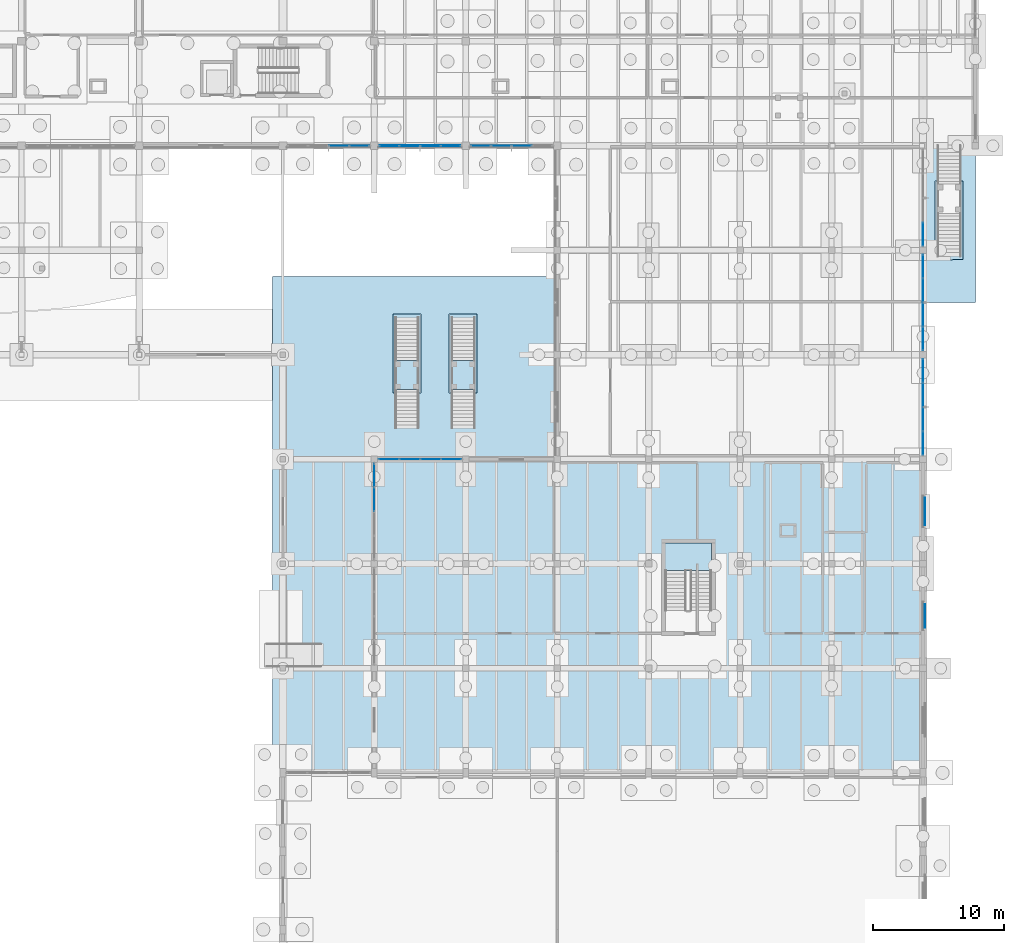
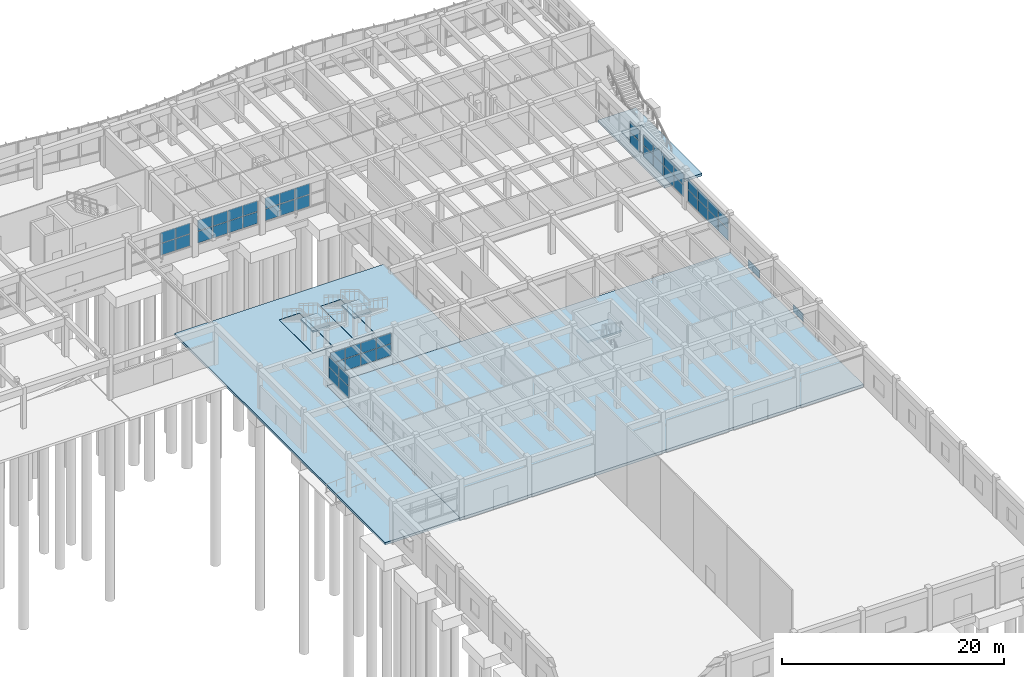
# One storey, part 58 of 99: 50 plates, 9 slabs, 11 elements without a shape of their own.
"""IFC4 building model written with IfcOpenShell, lengths in metres."""

from ifc_helpers import new_model, si_unit, direction, frame, origin, origin_2d, place, context, subcontext, project, spatial, polyline, rectangle, outline, extrude, material, layer, layer_set, type_object, element, aggregate, save


model = new_model("IFC4")

# Units and contexts
model_context = context("Model", 3, precision=1e-05, world=origin(), true_north=direction((0.0, 1.0)))
body_context = subcontext(model_context, "Body", "Model", "MODEL_VIEW")
ifc_project = project(units=[si_unit("LENGTHUNIT", "METRE"), si_unit("AREAUNIT", "SQUARE_METRE"), si_unit("VOLUMEUNIT", "CUBIC_METRE"), si_unit("PLANEANGLEUNIT", "RADIAN"), si_unit("MASSUNIT", "GRAM", prefix="KILO")], contexts=[model_context])

# Site, building, storey
site_placement = place(None, origin())
site = spatial("IfcSite", under=ifc_project, at=site_placement, CompositionType="ELEMENT")
building_placement = place(site_placement, origin())
building = spatial("IfcBuilding", under=site, at=building_placement, Name="Tonlespit Floodbar School", CompositionType="ELEMENT")
storey_placement = place(building_placement, origin())
storey = spatial("IfcBuildingStorey", under=building, at=storey_placement, Name="L00", CompositionType="ELEMENT", Elevation=0.0)

# Curtain wall, plates
ifc_material_1 = material(Name="Anodised Aluminium", Category="aluminium")
ifc_layer_1 = layer(ifc_material_1, 0.159912109375)
ifc_layer_set_1 = layer_set([ifc_layer_1], Name="Anodised Aluminium")
curtain_wall_type_1 = type_object("IfcCurtainWallType", Name="CurtainWall_7400x2600", PredefinedType="NOTDEFINED", material=ifc_layer_set_1)
curtain_wall_1_placement = place(storey_placement, origin())
curtain_wall_1 = element("IfcCurtainWall", 1, at=curtain_wall_1_placement, inside=storey, type_object=curtain_wall_type_1, Name="L00 unitised curtain wall 0333", PredefinedType="NOTDEFINED")
ifc_material_2 = material(Name="Laminated Low-E Glass", Category="glass")
ifc_layer_2 = layer(ifc_material_2, 0.028076171875)
ifc_layer_set_2 = layer_set([ifc_layer_2], Name="Laminated Low-E Glass")
plate_type_1 = type_object("IfcPlateType", Name="CW_Panel_Glaz_28", PredefinedType="CURTAIN_PANEL", material=ifc_layer_set_2)
plate_1_placement = place(storey_placement, frame((134.0, 76.927490234375, 1.01513671875), z_axis=(0.0, 0.0, 1.0), x_axis=(0.0, 1.0, 0.0)))
plate_1 = element("IfcPlate", 2, at=plate_1_placement, type_object=plate_type_1, Name="CW-52 panel 3.1", PredefinedType="CURTAIN_PANEL", context=body_context, shape_type="SweptSolid", body=[
    extrude(rectangle(XDim=1.7900390625, YDim=0.028076171875, at=origin_2d()), origin(), (0.0, 0.0, 1.0), 1.26220703125),
])
plate_2_placement = place(storey_placement, frame((134.0, 76.927490234375, 2.34228515625), z_axis=(0.0, 0.0, 1.0), x_axis=(0.0, 1.0, 0.0)))
plate_2 = element("IfcPlate", 3, at=plate_2_placement, type_object=plate_type_1, Name="CW-52 panel 3.2", PredefinedType="CURTAIN_PANEL", context=body_context, shape_type="SweptSolid", body=[
    extrude(rectangle(XDim=1.7900390625, YDim=0.028076171875, at=origin_2d()), origin(), (0.0, 0.0, 1.0), 1.15771484375),
])
plate_3_placement = place(storey_placement, frame((134.0, 78.766357421875, 1.01513671875), z_axis=(0.0, 0.0, 1.0), x_axis=(0.0, 1.0, 0.0)))
plate_3 = element("IfcPlate", 4, at=plate_3_placement, type_object=plate_type_1, Name="CW-52 panel 4.1", PredefinedType="CURTAIN_PANEL", context=body_context, shape_type="SweptSolid", body=[
    extrude(rectangle(XDim=1.757568359375, YDim=0.028076171875, at=origin_2d()), origin(), (0.0, 0.0, 1.0), 1.26220703125),
])
plate_4_placement = place(storey_placement, frame((134.0, 78.766357421875, 2.34228515625), z_axis=(0.0, 0.0, 1.0), x_axis=(0.0, 1.0, 0.0)))
plate_4 = element("IfcPlate", 5, at=plate_4_placement, type_object=plate_type_1, Name="CW-52 panel 4.2", PredefinedType="CURTAIN_PANEL", context=body_context, shape_type="SweptSolid", body=[
    extrude(rectangle(XDim=1.757568359375, YDim=0.028076171875, at=origin_2d()), origin(), (0.0, 0.0, 1.0), 1.15771484375),
])
aggregate(curtain_wall_1, [plate_1, plate_2, plate_3, plate_4])

ifc_layer_3 = layer(ifc_material_1, 0.159912109375)
ifc_layer_set_3 = layer_set([ifc_layer_3], Name="Anodised Aluminium")
curtain_wall_type_2 = type_object("IfcCurtainWallType", Name="CurtainWall_6300x2650", PredefinedType="NOTDEFINED", material=ifc_layer_set_3)
curtain_wall_2_placement = place(storey_placement, origin())
curtain_wall_2 = element("IfcCurtainWall", 6, at=curtain_wall_2_placement, inside=storey, type_object=curtain_wall_type_2, Name="L00 unitised curtain wall 0373", PredefinedType="NOTDEFINED")
plate_5_placement = place(storey_placement, frame((132.853759765625, 104.0, 1.014892578125), z_axis=(0.0, 0.0, 1.0), x_axis=(-1.0, 0.0, 0.0)))
plate_5 = element("IfcPlate", 7, at=plate_5_placement, type_object=plate_type_1, Name="CW-59 panel 1.1", PredefinedType="CURTAIN_PANEL", context=body_context, shape_type="SweptSolid", body=[
    extrude(rectangle(XDim=1.482421875, YDim=0.028076171875, at=origin_2d()), origin(), (0.0, 0.0, 1.0), 1.275390625),
])
plate_6_placement = place(storey_placement, frame((132.853759765625, 104.0, 2.35546875), z_axis=(0.0, 0.0, 1.0), x_axis=(-1.0, 0.0, 0.0)))
plate_6 = element("IfcPlate", 8, at=plate_6_placement, type_object=plate_type_1, Name="CW-59 panel 1.2", PredefinedType="CURTAIN_PANEL", context=body_context, shape_type="SweptSolid", body=[
    extrude(rectangle(XDim=1.482421875, YDim=0.028076171875, at=origin_2d()), origin(), (0.0, 0.0, 1.0), 1.169677734375),
])
plate_7_placement = place(storey_placement, frame((131.2900390625, 104.0, 1.014892578125), z_axis=(0.0, 0.0, 1.0), x_axis=(-1.0, 0.0, 0.0)))
plate_7 = element("IfcPlate", 9, at=plate_7_placement, type_object=plate_type_1, Name="CW-59 panel 2.1", PredefinedType="CURTAIN_PANEL", context=body_context, shape_type="SweptSolid", body=[
    extrude(rectangle(XDim=1.514892578125, YDim=0.028076171875, at=origin_2d()), origin(), (0.0, 0.0, 1.0), 1.275390625),
])
plate_8_placement = place(storey_placement, frame((131.2900390625, 104.0, 2.35546875), z_axis=(0.0, 0.0, 1.0), x_axis=(-1.0, 0.0, 0.0)))
plate_8 = element("IfcPlate", 10, at=plate_8_placement, type_object=plate_type_1, Name="CW-59 panel 2.2", PredefinedType="CURTAIN_PANEL", context=body_context, shape_type="SweptSolid", body=[
    extrude(rectangle(XDim=1.514892578125, YDim=0.028076171875, at=origin_2d()), origin(), (0.0, 0.0, 1.0), 1.169677734375),
])
aggregate(curtain_wall_2, [plate_5, plate_6, plate_7, plate_8])

ifc_layer_4 = layer(ifc_material_1, 0.159912109375)
ifc_layer_set_4 = layer_set([ifc_layer_4], Name="Anodised Aluminium")
curtain_wall_type_3 = type_object("IfcCurtainWallType", Name="CurtainWall_6400x2600", PredefinedType="NOTDEFINED", material=ifc_layer_set_4)
curtain_wall_3_placement = place(storey_placement, origin())
curtain_wall_3 = element("IfcCurtainWall", 11, at=curtain_wall_3_placement, inside=storey, type_object=curtain_wall_type_3, Name="L00 unitised curtain wall 0334", PredefinedType="NOTDEFINED")
ifc_layer_5 = layer(ifc_material_2, 0.031982421875)
ifc_layer_set_5 = layer_set([ifc_layer_5], Name="Laminated Low-E Glass")
plate_type_2 = type_object("IfcPlateType", Name="CW_Panel_Glaz_32", PredefinedType="CURTAIN_PANEL", material=ifc_layer_set_5)
plate_9_placement = place(storey_placement, frame((135.108642578125, 80.0, 1.01513671875), z_axis=(0.0, 0.0, 1.0), x_axis=(1.0, 0.0, 0.0)))
plate_9 = element("IfcPlate", 12, at=plate_9_placement, type_object=plate_type_2, Name="CW-53 panel 1.1", PredefinedType="CURTAIN_PANEL", context=body_context, shape_type="SweptSolid", body=[
    extrude(rectangle(XDim=1.507568359375, YDim=0.031982421875, at=origin_2d()), origin(), (0.0, 0.0, 1.0), 1.26220703125),
])
plate_10_placement = place(storey_placement, frame((135.108642578125, 80.0, 2.34228515625), z_axis=(0.0, 0.0, 1.0), x_axis=(1.0, 0.0, 0.0)))
plate_10 = element("IfcPlate", 13, at=plate_10_placement, type_object=plate_type_2, Name="CW-53 panel 1.2", PredefinedType="CURTAIN_PANEL", context=body_context, shape_type="SweptSolid", body=[
    extrude(rectangle(XDim=1.507568359375, YDim=0.031982421875, at=origin_2d()), origin(), (0.0, 0.0, 1.0), 1.15771484375),
])
plate_11_placement = place(storey_placement, frame((136.697509765625, 80.0, 1.01513671875), z_axis=(0.0, 0.0, 1.0), x_axis=(1.0, 0.0, 0.0)))
plate_11 = element("IfcPlate", 14, at=plate_11_placement, type_object=plate_type_2, Name="CW-53 panel 2.1", PredefinedType="CURTAIN_PANEL", context=body_context, shape_type="SweptSolid", body=[
    extrude(rectangle(XDim=1.5400390625, YDim=0.031982421875, at=origin_2d()), origin(), (0.0, 0.0, 1.0), 1.26220703125),
])
plate_12_placement = place(storey_placement, frame((136.697509765625, 80.0, 2.34228515625), z_axis=(0.0, 0.0, 1.0), x_axis=(1.0, 0.0, 0.0)))
plate_12 = element("IfcPlate", 15, at=plate_12_placement, type_object=plate_type_2, Name="CW-53 panel 2.2", PredefinedType="CURTAIN_PANEL", context=body_context, shape_type="SweptSolid", body=[
    extrude(rectangle(XDim=1.5400390625, YDim=0.031982421875, at=origin_2d()), origin(), (0.0, 0.0, 1.0), 1.15771484375),
])
plate_13_placement = place(storey_placement, frame((138.302490234375, 80.0, 1.01513671875), z_axis=(0.0, 0.0, 1.0), x_axis=(1.0, 0.0, 0.0)))
plate_13 = element("IfcPlate", 16, at=plate_13_placement, type_object=plate_type_2, Name="CW-53 panel 3.1", PredefinedType="CURTAIN_PANEL", context=body_context, shape_type="SweptSolid", body=[
    extrude(rectangle(XDim=1.5400390625, YDim=0.031982421875, at=origin_2d()), origin(), (0.0, 0.0, 1.0), 1.26220703125),
])
plate_14_placement = place(storey_placement, frame((138.302490234375, 80.0, 2.34228515625), z_axis=(0.0, 0.0, 1.0), x_axis=(1.0, 0.0, 0.0)))
plate_14 = element("IfcPlate", 17, at=plate_14_placement, type_object=plate_type_2, Name="CW-53 panel 3.2", PredefinedType="CURTAIN_PANEL", context=body_context, shape_type="SweptSolid", body=[
    extrude(rectangle(XDim=1.5400390625, YDim=0.031982421875, at=origin_2d()), origin(), (0.0, 0.0, 1.0), 1.15771484375),
])
plate_15_placement = place(storey_placement, frame((139.891357421875, 80.0, 1.01513671875), z_axis=(0.0, 0.0, 1.0), x_axis=(1.0, 0.0, 0.0)))
plate_15 = element("IfcPlate", 18, at=plate_15_placement, type_object=plate_type_2, Name="CW-53 panel 4.1", PredefinedType="CURTAIN_PANEL", context=body_context, shape_type="SweptSolid", body=[
    extrude(rectangle(XDim=1.507568359375, YDim=0.031982421875, at=origin_2d()), origin(), (0.0, 0.0, 1.0), 1.26220703125),
])
plate_16_placement = place(storey_placement, frame((139.891357421875, 80.0, 2.34228515625), z_axis=(0.0, 0.0, 1.0), x_axis=(1.0, 0.0, 0.0)))
plate_16 = element("IfcPlate", 19, at=plate_16_placement, type_object=plate_type_2, Name="CW-53 panel 4.2", PredefinedType="CURTAIN_PANEL", context=body_context, shape_type="SweptSolid", body=[
    extrude(rectangle(XDim=1.507568359375, YDim=0.031982421875, at=origin_2d()), origin(), (0.0, 0.0, 1.0), 1.15771484375),
])
aggregate(curtain_wall_3, [plate_9, plate_10, plate_11, plate_12, plate_13, plate_14, plate_15, plate_16])

curtain_wall_4_placement = place(storey_placement, origin())
curtain_wall_4 = element("IfcCurtainWall", 20, at=curtain_wall_4_placement, inside=storey, type_object=curtain_wall_type_1, Name="L00 unitised curtain wall 0374", PredefinedType="NOTDEFINED")
plate_17_placement = place(storey_placement, frame((176.0, 97.233642578125, 1.01513671875), z_axis=(0.0, 0.0, 1.0), x_axis=(0.0, -1.0, 0.0)))
plate_17 = element("IfcPlate", 21, at=plate_17_placement, type_object=plate_type_2, Name="CW-52 panel 4.1", PredefinedType="CURTAIN_PANEL", context=body_context, shape_type="SweptSolid", body=[
    extrude(rectangle(XDim=1.757568359375, YDim=0.031982421875, at=origin_2d()), origin(), (0.0, 0.0, 1.0), 1.249267578125),
])
plate_18_placement = place(storey_placement, frame((176.0, 97.233642578125, 2.3291015625), z_axis=(0.0, 0.0, 1.0), x_axis=(0.0, -1.0, 0.0)))
plate_18 = element("IfcPlate", 22, at=plate_18_placement, type_object=plate_type_2, Name="CW-52 panel 4.2", PredefinedType="CURTAIN_PANEL", context=body_context, shape_type="SweptSolid", body=[
    extrude(rectangle(XDim=1.757568359375, YDim=0.031982421875, at=origin_2d()), origin(), (0.0, 0.0, 1.0), 1.145751953125),
])
aggregate(curtain_wall_4, [plate_17, plate_18])

curtain_wall_5_placement = place(storey_placement, origin())
curtain_wall_5 = element("IfcCurtainWall", 23, at=curtain_wall_5_placement, inside=storey, type_object=curtain_wall_type_2, Name="L00 unitised curtain wall 0371", PredefinedType="NOTDEFINED")
ifc_layer_6 = layer(ifc_material_2, 0.035888671875)
ifc_layer_set_6 = layer_set([ifc_layer_6], Name="Laminated Low-E Glass")
plate_type_3 = type_object("IfcPlateType", Name="CW_Panel_Glaz_36", PredefinedType="CURTAIN_PANEL", material=ifc_layer_set_6)
plate_19_placement = place(storey_placement, frame((145.2900390625, 104.0, 1.014892578125), z_axis=(0.0, 0.0, 1.0), x_axis=(-1.0, 0.0, 0.0)))
plate_19 = element("IfcPlate", 24, at=plate_19_placement, type_object=plate_type_3, Name="CW-59 panel 2.1", PredefinedType="CURTAIN_PANEL", context=body_context, shape_type="SweptSolid", body=[
    extrude(rectangle(XDim=1.514892578125, YDim=0.035888671875, at=origin_2d()), origin(), (0.0, 0.0, 1.0), 1.275390625),
])
plate_20_placement = place(storey_placement, frame((145.2900390625, 104.0, 2.35546875), z_axis=(0.0, 0.0, 1.0), x_axis=(-1.0, 0.0, 0.0)))
plate_20 = element("IfcPlate", 25, at=plate_20_placement, type_object=plate_type_3, Name="CW-59 panel 2.2", PredefinedType="CURTAIN_PANEL", context=body_context, shape_type="SweptSolid", body=[
    extrude(rectangle(XDim=1.514892578125, YDim=0.035888671875, at=origin_2d()), origin(), (0.0, 0.0, 1.0), 1.169677734375),
])
plate_21_placement = place(storey_placement, frame((143.7099609375, 104.0, 1.014892578125), z_axis=(0.0, 0.0, 1.0), x_axis=(-1.0, 0.0, 0.0)))
plate_21 = element("IfcPlate", 26, at=plate_21_placement, type_object=plate_type_3, Name="CW-59 panel 3.1", PredefinedType="CURTAIN_PANEL", context=body_context, shape_type="SweptSolid", body=[
    extrude(rectangle(XDim=1.514892578125, YDim=0.035888671875, at=origin_2d()), origin(), (0.0, 0.0, 1.0), 1.275390625),
])
plate_22_placement = place(storey_placement, frame((143.7099609375, 104.0, 2.35546875), z_axis=(0.0, 0.0, 1.0), x_axis=(-1.0, 0.0, 0.0)))
plate_22 = element("IfcPlate", 27, at=plate_22_placement, type_object=plate_type_3, Name="CW-59 panel 3.2", PredefinedType="CURTAIN_PANEL", context=body_context, shape_type="SweptSolid", body=[
    extrude(rectangle(XDim=1.514892578125, YDim=0.035888671875, at=origin_2d()), origin(), (0.0, 0.0, 1.0), 1.169677734375),
])
plate_23_placement = place(storey_placement, frame((142.146240234375, 104.0, 1.014892578125), z_axis=(0.0, 0.0, 1.0), x_axis=(-1.0, 0.0, 0.0)))
plate_23 = element("IfcPlate", 28, at=plate_23_placement, type_object=plate_type_3, Name="CW-59 panel 4.1", PredefinedType="CURTAIN_PANEL", context=body_context, shape_type="SweptSolid", body=[
    extrude(rectangle(XDim=1.482421875, YDim=0.035888671875, at=origin_2d()), origin(), (0.0, 0.0, 1.0), 1.275390625),
])
plate_24_placement = place(storey_placement, frame((142.146240234375, 104.0, 2.35546875), z_axis=(0.0, 0.0, 1.0), x_axis=(-1.0, 0.0, 0.0)))
plate_24 = element("IfcPlate", 29, at=plate_24_placement, type_object=plate_type_3, Name="CW-59 panel 4.2", PredefinedType="CURTAIN_PANEL", context=body_context, shape_type="SweptSolid", body=[
    extrude(rectangle(XDim=1.482421875, YDim=0.035888671875, at=origin_2d()), origin(), (0.0, 0.0, 1.0), 1.169677734375),
])
aggregate(curtain_wall_5, [plate_19, plate_20, plate_21, plate_22, plate_23, plate_24])

curtain_wall_6_placement = place(storey_placement, origin())
curtain_wall_6 = element("IfcCurtainWall", 30, at=curtain_wall_6_placement, inside=storey, type_object=curtain_wall_type_1, Name="L00 unitised curtain wall 0375", PredefinedType="NOTDEFINED")
plate_25_placement = place(storey_placement, frame((176.0, 94.766357421875, 1.01513671875), z_axis=(0.0, 0.0, 1.0), x_axis=(0.0, -1.0, 0.0)))
plate_25 = element("IfcPlate", 31, at=plate_25_placement, type_object=plate_type_3, Name="CW-52 panel 1.1", PredefinedType="CURTAIN_PANEL", context=body_context, shape_type="SweptSolid", body=[
    extrude(rectangle(XDim=1.757568359375, YDim=0.035888671875, at=origin_2d()), origin(), (0.0, 0.0, 1.0), 1.249267578125),
])
plate_26_placement = place(storey_placement, frame((176.0, 94.766357421875, 2.3291015625), z_axis=(0.0, 0.0, 1.0), x_axis=(0.0, -1.0, 0.0)))
plate_26 = element("IfcPlate", 32, at=plate_26_placement, type_object=plate_type_3, Name="CW-52 panel 1.2", PredefinedType="CURTAIN_PANEL", context=body_context, shape_type="SweptSolid", body=[
    extrude(rectangle(XDim=1.757568359375, YDim=0.035888671875, at=origin_2d()), origin(), (0.0, 0.0, 1.0), 1.145751953125),
])
plate_27_placement = place(storey_placement, frame((176.0, 92.927490234375, 1.01513671875), z_axis=(0.0, 0.0, 1.0), x_axis=(0.0, -1.0, 0.0)))
plate_27 = element("IfcPlate", 33, at=plate_27_placement, type_object=plate_type_3, Name="CW-52 panel 2.1", PredefinedType="CURTAIN_PANEL", context=body_context, shape_type="SweptSolid", body=[
    extrude(rectangle(XDim=1.7900390625, YDim=0.035888671875, at=origin_2d()), origin(), (0.0, 0.0, 1.0), 1.249267578125),
])
plate_28_placement = place(storey_placement, frame((176.0, 92.927490234375, 2.3291015625), z_axis=(0.0, 0.0, 1.0), x_axis=(0.0, -1.0, 0.0)))
plate_28 = element("IfcPlate", 34, at=plate_28_placement, type_object=plate_type_3, Name="CW-52 panel 2.2", PredefinedType="CURTAIN_PANEL", context=body_context, shape_type="SweptSolid", body=[
    extrude(rectangle(XDim=1.7900390625, YDim=0.035888671875, at=origin_2d()), origin(), (0.0, 0.0, 1.0), 1.145751953125),
])
plate_29_placement = place(storey_placement, frame((176.0, 91.072509765625, 1.01513671875), z_axis=(0.0, 0.0, 1.0), x_axis=(0.0, -1.0, 0.0)))
plate_29 = element("IfcPlate", 35, at=plate_29_placement, type_object=plate_type_3, Name="CW-52 panel 3.1", PredefinedType="CURTAIN_PANEL", context=body_context, shape_type="SweptSolid", body=[
    extrude(rectangle(XDim=1.7900390625, YDim=0.035888671875, at=origin_2d()), origin(), (0.0, 0.0, 1.0), 1.249267578125),
])
plate_30_placement = place(storey_placement, frame((176.0, 91.072509765625, 2.3291015625), z_axis=(0.0, 0.0, 1.0), x_axis=(0.0, -1.0, 0.0)))
plate_30 = element("IfcPlate", 36, at=plate_30_placement, type_object=plate_type_3, Name="CW-52 panel 3.2", PredefinedType="CURTAIN_PANEL", context=body_context, shape_type="SweptSolid", body=[
    extrude(rectangle(XDim=1.7900390625, YDim=0.035888671875, at=origin_2d()), origin(), (0.0, 0.0, 1.0), 1.145751953125),
])
plate_31_placement = place(storey_placement, frame((176.0, 89.233642578125, 1.01513671875), z_axis=(0.0, 0.0, 1.0), x_axis=(0.0, -1.0, 0.0)))
plate_31 = element("IfcPlate", 37, at=plate_31_placement, type_object=plate_type_3, Name="CW-52 panel 4.1", PredefinedType="CURTAIN_PANEL", context=body_context, shape_type="SweptSolid", body=[
    extrude(rectangle(XDim=1.757568359375, YDim=0.035888671875, at=origin_2d()), origin(), (0.0, 0.0, 1.0), 1.249267578125),
])
plate_32_placement = place(storey_placement, frame((176.0, 89.233642578125, 2.3291015625), z_axis=(0.0, 0.0, 1.0), x_axis=(0.0, -1.0, 0.0)))
plate_32 = element("IfcPlate", 38, at=plate_32_placement, type_object=plate_type_3, Name="CW-52 panel 4.2", PredefinedType="CURTAIN_PANEL", context=body_context, shape_type="SweptSolid", body=[
    extrude(rectangle(XDim=1.757568359375, YDim=0.035888671875, at=origin_2d()), origin(), (0.0, 0.0, 1.0), 1.145751953125),
])
aggregate(curtain_wall_6, [plate_25, plate_26, plate_27, plate_28, plate_29, plate_30, plate_31, plate_32])

curtain_wall_7_placement = place(storey_placement, origin())
curtain_wall_7 = element("IfcCurtainWall", 39, at=curtain_wall_7_placement, inside=storey, type_object=curtain_wall_type_2, Name="L00 unitised curtain wall 0372", PredefinedType="NOTDEFINED")
ifc_layer_7 = layer(ifc_material_2, 0.0419921875)
ifc_layer_set_7 = layer_set([ifc_layer_7], Name="Laminated Low-E Glass")
plate_type_4 = type_object("IfcPlateType", Name="CW_Panel_Glaz_42", PredefinedType="CURTAIN_PANEL", material=ifc_layer_set_7)
plate_33_placement = place(storey_placement, frame((139.853759765625, 104.0, 1.014892578125), z_axis=(0.0, 0.0, 1.0), x_axis=(-1.0, 0.0, 0.0)))
plate_33 = element("IfcPlate", 40, at=plate_33_placement, type_object=plate_type_4, Name="CW-59 panel 1.1", PredefinedType="CURTAIN_PANEL", context=body_context, shape_type="SweptSolid", body=[
    extrude(rectangle(XDim=1.482421875, YDim=0.0419921875, at=origin_2d()), origin(), (0.0, 0.0, 1.0), 1.275390625),
])
plate_34_placement = place(storey_placement, frame((139.853759765625, 104.0, 2.35546875), z_axis=(0.0, 0.0, 1.0), x_axis=(-1.0, 0.0, 0.0)))
plate_34 = element("IfcPlate", 41, at=plate_34_placement, type_object=plate_type_4, Name="CW-59 panel 1.2", PredefinedType="CURTAIN_PANEL", context=body_context, shape_type="SweptSolid", body=[
    extrude(rectangle(XDim=1.482421875, YDim=0.0419921875, at=origin_2d()), origin(), (0.0, 0.0, 1.0), 1.169677734375),
])
plate_35_placement = place(storey_placement, frame((138.2900390625, 104.0, 1.014892578125), z_axis=(0.0, 0.0, 1.0), x_axis=(-1.0, 0.0, 0.0)))
plate_35 = element("IfcPlate", 42, at=plate_35_placement, type_object=plate_type_4, Name="CW-59 panel 2.1", PredefinedType="CURTAIN_PANEL", context=body_context, shape_type="SweptSolid", body=[
    extrude(rectangle(XDim=1.514892578125, YDim=0.0419921875, at=origin_2d()), origin(), (0.0, 0.0, 1.0), 1.275390625),
])
plate_36_placement = place(storey_placement, frame((138.2900390625, 104.0, 2.35546875), z_axis=(0.0, 0.0, 1.0), x_axis=(-1.0, 0.0, 0.0)))
plate_36 = element("IfcPlate", 43, at=plate_36_placement, type_object=plate_type_4, Name="CW-59 panel 2.2", PredefinedType="CURTAIN_PANEL", context=body_context, shape_type="SweptSolid", body=[
    extrude(rectangle(XDim=1.514892578125, YDim=0.0419921875, at=origin_2d()), origin(), (0.0, 0.0, 1.0), 1.169677734375),
])
plate_37_placement = place(storey_placement, frame((136.7099609375, 104.0, 1.014892578125), z_axis=(0.0, 0.0, 1.0), x_axis=(-1.0, 0.0, 0.0)))
plate_37 = element("IfcPlate", 44, at=plate_37_placement, type_object=plate_type_4, Name="CW-59 panel 3.1", PredefinedType="CURTAIN_PANEL", context=body_context, shape_type="SweptSolid", body=[
    extrude(rectangle(XDim=1.514892578125, YDim=0.0419921875, at=origin_2d()), origin(), (0.0, 0.0, 1.0), 1.275390625),
])
plate_38_placement = place(storey_placement, frame((136.7099609375, 104.0, 2.35546875), z_axis=(0.0, 0.0, 1.0), x_axis=(-1.0, 0.0, 0.0)))
plate_38 = element("IfcPlate", 45, at=plate_38_placement, type_object=plate_type_4, Name="CW-59 panel 3.2", PredefinedType="CURTAIN_PANEL", context=body_context, shape_type="SweptSolid", body=[
    extrude(rectangle(XDim=1.514892578125, YDim=0.0419921875, at=origin_2d()), origin(), (0.0, 0.0, 1.0), 1.169677734375),
])
plate_39_placement = place(storey_placement, frame((135.146240234375, 104.0, 1.014892578125), z_axis=(0.0, 0.0, 1.0), x_axis=(-1.0, 0.0, 0.0)))
plate_39 = element("IfcPlate", 46, at=plate_39_placement, type_object=plate_type_4, Name="CW-59 panel 4.1", PredefinedType="CURTAIN_PANEL", context=body_context, shape_type="SweptSolid", body=[
    extrude(rectangle(XDim=1.482421875, YDim=0.0419921875, at=origin_2d()), origin(), (0.0, 0.0, 1.0), 1.275390625),
])
plate_40_placement = place(storey_placement, frame((135.146240234375, 104.0, 2.35546875), z_axis=(0.0, 0.0, 1.0), x_axis=(-1.0, 0.0, 0.0)))
plate_40 = element("IfcPlate", 47, at=plate_40_placement, type_object=plate_type_4, Name="CW-59 panel 4.2", PredefinedType="CURTAIN_PANEL", context=body_context, shape_type="SweptSolid", body=[
    extrude(rectangle(XDim=1.482421875, YDim=0.0419921875, at=origin_2d()), origin(), (0.0, 0.0, 1.0), 1.169677734375),
])
aggregate(curtain_wall_7, [plate_33, plate_34, plate_35, plate_36, plate_37, plate_38, plate_39, plate_40])

curtain_wall_8_placement = place(storey_placement, origin())
curtain_wall_8 = element("IfcCurtainWall", 48, at=curtain_wall_8_placement, inside=storey, type_object=curtain_wall_type_1, Name="L00 unitised curtain wall 0376", PredefinedType="NOTDEFINED")
plate_41_placement = place(storey_placement, frame((176.0, 86.766357421875, 1.01513671875), z_axis=(0.0, 0.0, 1.0), x_axis=(0.0, -1.0, 0.0)))
plate_41 = element("IfcPlate", 49, at=plate_41_placement, type_object=plate_type_4, Name="CW-52 panel 1.1", PredefinedType="CURTAIN_PANEL", context=body_context, shape_type="SweptSolid", body=[
    extrude(rectangle(XDim=1.757568359375, YDim=0.0419921875, at=origin_2d()), origin(), (0.0, 0.0, 1.0), 1.249267578125),
])
plate_42_placement = place(storey_placement, frame((176.0, 86.766357421875, 2.3291015625), z_axis=(0.0, 0.0, 1.0), x_axis=(0.0, -1.0, 0.0)))
plate_42 = element("IfcPlate", 50, at=plate_42_placement, type_object=plate_type_4, Name="CW-52 panel 1.2", PredefinedType="CURTAIN_PANEL", context=body_context, shape_type="SweptSolid", body=[
    extrude(rectangle(XDim=1.757568359375, YDim=0.0419921875, at=origin_2d()), origin(), (0.0, 0.0, 1.0), 1.145751953125),
])
plate_43_placement = place(storey_placement, frame((176.0, 84.927490234375, 1.01513671875), z_axis=(0.0, 0.0, 1.0), x_axis=(0.0, -1.0, 0.0)))
plate_43 = element("IfcPlate", 51, at=plate_43_placement, type_object=plate_type_4, Name="CW-52 panel 2.1", PredefinedType="CURTAIN_PANEL", context=body_context, shape_type="SweptSolid", body=[
    extrude(rectangle(XDim=1.7900390625, YDim=0.0419921875, at=origin_2d()), origin(), (0.0, 0.0, 1.0), 1.249267578125),
])
plate_44_placement = place(storey_placement, frame((176.0, 84.927490234375, 2.3291015625), z_axis=(0.0, 0.0, 1.0), x_axis=(0.0, -1.0, 0.0)))
plate_44 = element("IfcPlate", 52, at=plate_44_placement, type_object=plate_type_4, Name="CW-52 panel 2.2", PredefinedType="CURTAIN_PANEL", context=body_context, shape_type="SweptSolid", body=[
    extrude(rectangle(XDim=1.7900390625, YDim=0.0419921875, at=origin_2d()), origin(), (0.0, 0.0, 1.0), 1.145751953125),
])
plate_45_placement = place(storey_placement, frame((176.0, 83.072509765625, 1.01513671875), z_axis=(0.0, 0.0, 1.0), x_axis=(0.0, -1.0, 0.0)))
plate_45 = element("IfcPlate", 53, at=plate_45_placement, type_object=plate_type_4, Name="CW-52 panel 3.1", PredefinedType="CURTAIN_PANEL", context=body_context, shape_type="SweptSolid", body=[
    extrude(rectangle(XDim=1.7900390625, YDim=0.0419921875, at=origin_2d()), origin(), (0.0, 0.0, 1.0), 1.249267578125),
])
plate_46_placement = place(storey_placement, frame((176.0, 83.072509765625, 2.3291015625), z_axis=(0.0, 0.0, 1.0), x_axis=(0.0, -1.0, 0.0)))
plate_46 = element("IfcPlate", 54, at=plate_46_placement, type_object=plate_type_4, Name="CW-52 panel 3.2", PredefinedType="CURTAIN_PANEL", context=body_context, shape_type="SweptSolid", body=[
    extrude(rectangle(XDim=1.7900390625, YDim=0.0419921875, at=origin_2d()), origin(), (0.0, 0.0, 1.0), 1.145751953125),
])
plate_47_placement = place(storey_placement, frame((176.0, 81.233642578125, 1.01513671875), z_axis=(0.0, 0.0, 1.0), x_axis=(0.0, -1.0, 0.0)))
plate_47 = element("IfcPlate", 55, at=plate_47_placement, type_object=plate_type_4, Name="CW-52 panel 4.1", PredefinedType="CURTAIN_PANEL", context=body_context, shape_type="SweptSolid", body=[
    extrude(rectangle(XDim=1.757568359375, YDim=0.0419921875, at=origin_2d()), origin(), (0.0, 0.0, 1.0), 1.249267578125),
])
plate_48_placement = place(storey_placement, frame((176.0, 81.233642578125, 2.3291015625), z_axis=(0.0, 0.0, 1.0), x_axis=(0.0, -1.0, 0.0)))
plate_48 = element("IfcPlate", 56, at=plate_48_placement, type_object=plate_type_4, Name="CW-52 panel 4.2", PredefinedType="CURTAIN_PANEL", context=body_context, shape_type="SweptSolid", body=[
    extrude(rectangle(XDim=1.757568359375, YDim=0.0419921875, at=origin_2d()), origin(), (0.0, 0.0, 1.0), 1.145751953125),
])
aggregate(curtain_wall_8, [plate_41, plate_42, plate_43, plate_44, plate_45, plate_46, plate_47, plate_48])

# Plates
ifc_layer_8 = layer(ifc_material_1, 0.044921875)
ifc_layer_set_8 = layer_set([ifc_layer_8], Name="Anodised Aluminium")
plate_type_5 = type_object("IfcPlateType", Name="FacadeCassette_01", PredefinedType="SHEET", material=ifc_layer_set_8)
plate_49_placement = place(storey_placement, frame((176.157958984375, 68.0, 0.094970703125), z_axis=(0.0, 0.0, 1.0), x_axis=(0.0, -1.0, 0.0)))
element("IfcPlate", 57, at=plate_49_placement, inside=storey, type_object=plate_type_5, Name="L00 folded rainscreen cassette 025", PredefinedType="SHEET", context=body_context, shape_type="SweptSolid", body=[
    extrude(rectangle(XDim=1.800048828125, YDim=0.044921875, at=origin_2d()), origin(), (0.0, 0.0, 1.0), 0.85009765625),
])
ifc_material_3 = material(Name="Terracotta Anodised Aluminium", Category="masonry")
ifc_layer_9 = layer(ifc_material_3, 0.044921875)
ifc_layer_set_9 = layer_set([ifc_layer_9], Name="Terracotta Anodised Aluminium")
plate_type_6 = type_object("IfcPlateType", Name="FacadeCassette_02", PredefinedType="SHEET", material=ifc_layer_set_9)
plate_50_placement = place(storey_placement, frame((176.157958984375, 76.0, 0.094970703125), z_axis=(0.0, 0.0, 1.0), x_axis=(0.0, -1.0, 0.0)))
element("IfcPlate", 58, at=plate_50_placement, inside=storey, type_object=plate_type_6, Name="L00 folded rainscreen cassette 026", PredefinedType="SHEET", context=body_context, shape_type="SweptSolid", body=[
    extrude(rectangle(XDim=2.10009765625, YDim=0.044921875, at=origin_2d()), origin(), (0.0, 0.0, 1.0), 0.85009765625),
])

# Stair, slab
ifc_material_4 = material(Name="Concrete C40/50", Category="concrete")
stair_type_1 = type_object("IfcStairType", Name="Stair_Core_L00", PredefinedType="HALF_TURN_STAIR", material=ifc_material_4)
stair_1_placement = place(storey_placement, origin())
stair_1 = element("IfcStair", 59, at=stair_1_placement, inside=storey, type_object=stair_type_1, Name="L00 Core C5 escape stair", PredefinedType="HALF_TURN_STAIR")
ifc_layer_10 = layer(ifc_material_4, 0.199951171875)
ifc_layer_set_10 = layer_set([ifc_layer_10], Name="Concrete C40/50")
slab_type_1 = type_object("IfcSlabType", Name="Landing_Core_RC200", PredefinedType="LANDING", material=ifc_layer_set_10)
slab_1_placement = place(storey_placement, frame((0.0, 0.0, 2.050048828125)))
slab_1 = element("IfcSlab", 60, at=slab_1_placement, type_object=slab_type_1, Name="ST-C5 landing 1", PredefinedType="LANDING", context=body_context, shape_type="SweptSolid", body=[
    extrude(outline(polyline([(159.800048828125, 71.5), (159.800048828125, 73.60009765625), (156.260009765625, 73.60009765625), (156.260009765625, 71.5), (159.800048828125, 71.5)])), origin(), (0.0, 0.0, 1.0), 0.199951171875),
])
aggregate(stair_1, [slab_1])

ifc_material_5 = material(Name="Glulam GL28h", Category="wood")
stair_type_2 = type_object("IfcStairType", Name="Stair_Feature_1800", PredefinedType="STRAIGHT_RUN_STAIR", material=ifc_material_5)
stair_2_placement = place(storey_placement, origin())
stair_2 = element("IfcStair", 61, at=stair_2_placement, inside=storey, type_object=stair_type_2, Name="L00 stair ST-H1", PredefinedType="STRAIGHT_RUN_STAIR")
ifc_material_6 = material(Name="White Architectural Precast concrete C40/50", Category="concrete")
ifc_layer_11 = layer(ifc_material_6, 0.199951171875)
ifc_layer_set_11 = layer_set([ifc_layer_11], Name="White Architectural Precast concrete C40/50")
slab_type_2 = type_object("IfcSlabType", Name="Landing_Court_RC215", PredefinedType="LANDING", material=ifc_layer_set_11)
slab_2_placement = place(storey_placement, frame((0.0, 0.0, 2.050048828125)))
slab_2 = element("IfcSlab", 62, at=slab_2_placement, type_object=slab_type_2, Name="ST-H1 landing 1", PredefinedType="LANDING", context=body_context, shape_type="SweptSolid", body=[
    extrude(outline(polyline([(135.60009765625, 87.580078125), (135.60009765625, 85.340087890625), (137.39990234375, 85.340087890625), (137.39990234375, 87.580078125), (135.60009765625, 87.580078125)])), origin(), (0.0, 0.0, 1.0), 0.199951171875),
])
aggregate(stair_2, [slab_2])

stair_3_placement = place(storey_placement, origin())
stair_3 = element("IfcStair", 63, at=stair_3_placement, inside=storey, type_object=stair_type_2, Name="L00 stair ST-H2", PredefinedType="STRAIGHT_RUN_STAIR")
slab_3_placement = place(storey_placement, frame((0.0, 0.0, 2.050048828125)))
slab_3 = element("IfcSlab", 64, at=slab_3_placement, type_object=slab_type_2, Name="ST-H2 landing 1", PredefinedType="LANDING", context=body_context, shape_type="SweptSolid", body=[
    extrude(outline(polyline([(139.89990234375, 87.580078125), (139.89990234375, 85.340087890625), (141.699951171875, 85.340087890625), (141.699951171875, 87.580078125), (139.89990234375, 87.580078125)])), origin(), (0.0, 0.0, 1.0), 0.199951171875),
])
aggregate(stair_3, [slab_3])

# Slabs
ifc_layer_12 = layer(ifc_material_4, 0.300048828125)
ifc_layer_set_12 = layer_set([ifc_layer_12], Name="Concrete C40/50")
slab_type_3 = type_object("IfcSlabType", Name="Slab_Base_RC_200", PredefinedType="BASESLAB", material=ifc_layer_set_12)
slab_4_placement = place(storey_placement, frame((0.0, 0.0, -0.300048828125)))
element("IfcSlab", 65, at=slab_4_placement, inside=storey, type_object=slab_type_3, Name="L00 Hall foyer and changing ground slab", PredefinedType="BASESLAB", context=body_context, shape_type="SweptSolid", body=[
    extrude(outline(polyline([(134.0, 80.0), (176.0, 80.0), (176.0, 56.0), (134.0, 56.0), (134.0, 80.0)])), origin(), (0.0, 0.0, 1.0), 0.300048828125),
])
ifc_layer_13 = layer(ifc_material_4, 0.27001953125)
ifc_layer_set_13 = layer_set([ifc_layer_13], Name="Concrete C40/50")
slab_type_4 = type_object("IfcSlabType", Name="Slab_Colonnade_RC_180", PredefinedType="FLOOR", material=ifc_layer_set_13)
slab_5_placement = place(storey_placement, frame((0.0, 0.0, -0.27001953125)))
element("IfcSlab", 66, at=slab_5_placement, inside=storey, type_object=slab_type_4, Name="L00 V5 east square colonnade deck", PredefinedType="FLOOR", context=body_context, shape_type="SweptSolid", body=[
    extrude(outline(polyline([(126.199951171875, 94.0), (148.0, 94.0), (148.0, 80.0), (134.0, 80.0), (134.0, 56.0), (126.199951171875, 56.0), (126.199951171875, 94.0)]), holes=[polyline([(139.719970703125, 85.090087890625), (141.878662109375, 85.081298828125), (141.858642578125, 91.138671875), (139.72119140625, 91.11865234375), (139.719970703125, 85.090087890625)]), polyline([(135.419921875, 85.090087890625), (137.57861328125, 85.081298828125), (137.55859375, 91.138671875), (135.42138671875, 91.11865234375), (135.419921875, 85.090087890625)])]), origin(), (0.0, 0.0, 1.0), 0.27001953125),
])
slab_6_placement = place(storey_placement, frame((0.0, 0.0, -0.27001953125)))
element("IfcSlab", 67, at=slab_6_placement, inside=storey, type_object=slab_type_4, Name="L00 V5 east library court plinth deck", PredefinedType="FLOOR", context=body_context, shape_type="SweptSolid", body=[
    extrude(outline(polyline([(176.050048828125, 103.949951171875), (180.0, 103.949951171875), (180.0, 92.0), (176.050048828125, 92.0), (176.050048828125, 103.949951171875)]), holes=[polyline([(179.080078125, 101.31005859375), (176.92138671875, 101.318603515625), (176.94140625, 95.26123046875), (179.07861328125, 95.28125), (179.080078125, 101.31005859375)])]), origin(), (0.0, 0.0, 1.0), 0.27001953125),
])
ifc_layer_14 = layer(ifc_material_4, 0.449951171875)
ifc_layer_set_14 = layer_set([ifc_layer_14], Name="Concrete C40/50")
slab_type_5 = type_object("IfcSlabType", Name="Slab_StairPlinth_RC450", PredefinedType="BASESLAB", material=ifc_layer_set_14)
slab_7_placement = place(storey_placement, frame((0.0, 0.0, -0.449951171875)))
element("IfcSlab", 68, at=slab_7_placement, inside=storey, type_object=slab_type_5, Name="Stair ST-H1 foundation plinth", PredefinedType="BASESLAB", context=body_context, shape_type="SweptSolid", body=[
    extrude(outline(polyline([(135.449951171875, 91.110107421875), (135.449951171875, 85.090087890625), (137.550048828125, 85.090087890625), (137.550048828125, 91.110107421875), (135.449951171875, 91.110107421875)])), origin(), (0.0, 0.0, 1.0), 0.449951171875),
])
slab_8_placement = place(storey_placement, frame((0.0, 0.0, -0.449951171875)))
element("IfcSlab", 69, at=slab_8_placement, inside=storey, type_object=slab_type_5, Name="Stair ST-H2 foundation plinth", PredefinedType="BASESLAB", context=body_context, shape_type="SweptSolid", body=[
    extrude(outline(polyline([(139.75, 91.110107421875), (139.75, 85.090087890625), (141.85009765625, 85.090087890625), (141.85009765625, 91.110107421875), (139.75, 91.110107421875)])), origin(), (0.0, 0.0, 1.0), 0.449951171875),
])
slab_9_placement = place(storey_placement, frame((0.0, 0.0, -0.449951171875)))
element("IfcSlab", 70, at=slab_9_placement, inside=storey, type_object=slab_type_5, Name="Stair ST-L1 foundation plinth", PredefinedType="BASESLAB", context=body_context, shape_type="SweptSolid", body=[
    extrude(outline(polyline([(179.050048828125, 95.2900390625), (179.050048828125, 101.31005859375), (176.949951171875, 101.31005859375), (176.949951171875, 95.2900390625), (179.050048828125, 95.2900390625)])), origin(), (0.0, 0.0, 1.0), 0.449951171875),
])

save(model, "model.ifc")
